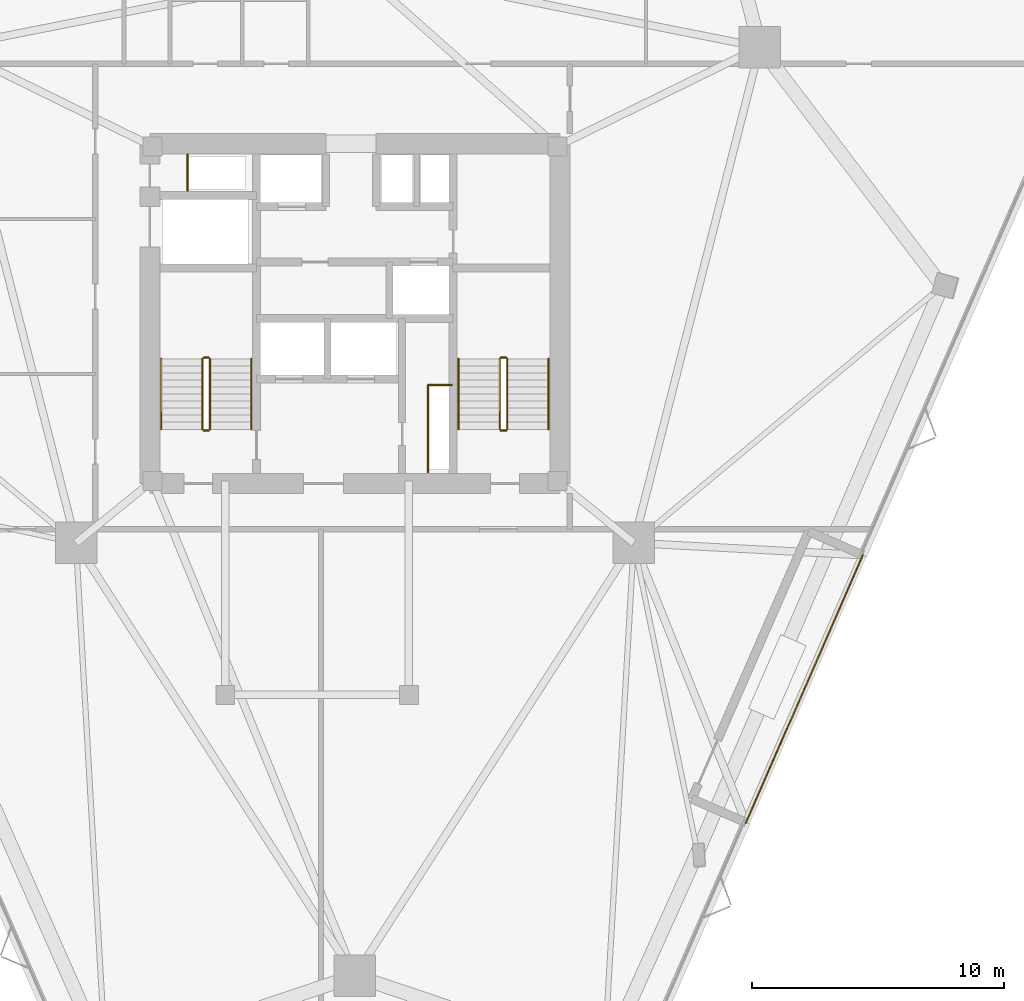
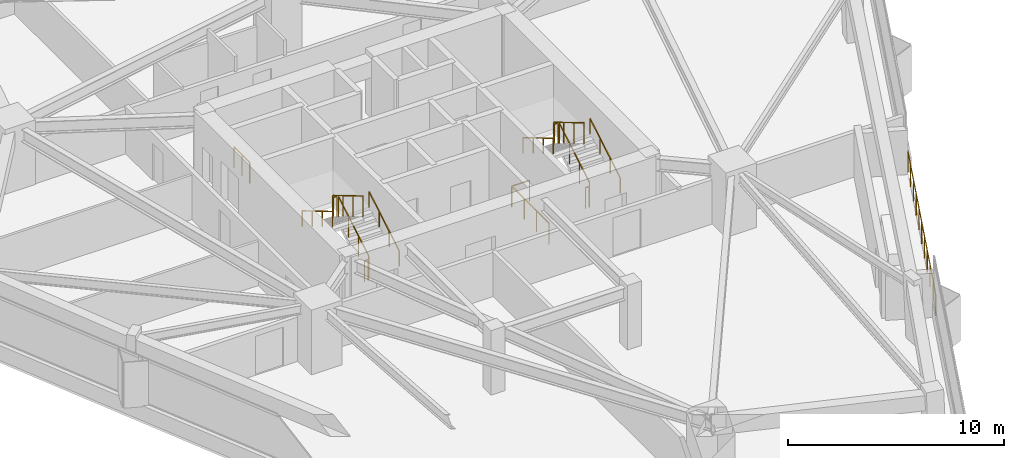
# One storey, part 14 of 14: 15 railings.
"""IFC4 building model written with IfcOpenShell, lengths in metres."""

from ifc_helpers import new_model, si_unit, direction, frame, origin, origin_2d, place, context, subcontext, project, spatial, rectangle, extrude, material, type_object, element, save


model = new_model("IFC4")

# Units and contexts
model_context = context("Model", 3, precision=1e-05, world=origin(), true_north=direction((0.0, 1.0)))
body_context = subcontext(model_context, "Body", "Model", "MODEL_VIEW")
ifc_project = project(units=[si_unit("LENGTHUNIT", "METRE"), si_unit("AREAUNIT", "SQUARE_METRE"), si_unit("VOLUMEUNIT", "CUBIC_METRE"), si_unit("PLANEANGLEUNIT", "RADIAN"), si_unit("MASSUNIT", "GRAM", prefix="KILO")], contexts=[model_context])

# Site, building, storey
site_placement = place(None, origin())
site = spatial("IfcSite", under=ifc_project, at=site_placement, CompositionType="ELEMENT")
building_placement = place(site_placement, origin())
building = spatial("IfcBuilding", under=site, at=building_placement, Name="Talyreon Biosciences Tower", CompositionType="ELEMENT")
storey_placement = place(building_placement, frame((0.0, 0.0, 96.89990234375)))
storey = spatial("IfcBuildingStorey", under=building, at=storey_placement, Name="L25", CompositionType="ELEMENT", Elevation=96.89990234375)

# Railings
ifc_material_1 = material(Name="Stainless-steel and laminated glass balustrade", Category="steel")
railing_type_1 = type_object("IfcRailingType", Name="SkyGardenGlassBalustrade_1250", PredefinedType="GUARDRAIL", material=ifc_material_1)
railing_1_placement = place(storey_placement, frame((86.197509765625, 58.3955078125, 0.0)))
element("IfcRailing", 1, at=railing_1_placement, inside=storey, type_object=railing_type_1, Name="L25 Terrace Edge Balustrade 03", PredefinedType="GUARDRAIL", context=body_context, shape_type="SweptSolid", body=[
    extrude(rectangle(XDim=0.048095703125, YDim=0.048095703125, at=origin_2d()), frame((0.0, 0.0, 1.22607421875), z_axis=(-0.400553840452, -0.916273223934, 0.0), x_axis=(0.916273223934, -0.400553840452, 0.0)), (0.0, 0.0, 1.0), 11.60009765625),
    extrude(rectangle(XDim=0.0419921875, YDim=0.0419921875, at=origin_2d()), origin(), (0.0, 0.0, 1.0), 1.201904296875),
    extrude(rectangle(XDim=0.0419921875, YDim=0.0419921875, at=origin_2d()), frame((-0.464599609375, -1.06298828125, 0.0)), (0.0, 0.0, 1.0), 1.201904296875),
    extrude(rectangle(XDim=0.0419921875, YDim=0.0419921875, at=origin_2d()), frame((-0.92919921875, -2.125732421875, 0.0)), (0.0, 0.0, 1.0), 1.201904296875),
    extrude(rectangle(XDim=0.0419921875, YDim=0.0419921875, at=origin_2d()), frame((-1.39404296875, -3.188720703125, 0.0)), (0.0, 0.0, 1.0), 1.201904296875),
    extrude(rectangle(XDim=0.0419921875, YDim=0.0419921875, at=origin_2d()), frame((-1.858642578125, -4.25146484375, 0.0)), (0.0, 0.0, 1.0), 1.201904296875),
    extrude(rectangle(XDim=0.0419921875, YDim=0.0419921875, at=origin_2d()), frame((-2.3232421875, -5.314453125, 0.0)), (0.0, 0.0, 1.0), 1.201904296875),
    extrude(rectangle(XDim=0.0419921875, YDim=0.0419921875, at=origin_2d()), frame((-2.787841796875, -6.37744140625, 0.0)), (0.0, 0.0, 1.0), 1.201904296875),
    extrude(rectangle(XDim=0.0419921875, YDim=0.0419921875, at=origin_2d()), frame((-3.25244140625, -7.440185546875, 0.0)), (0.0, 0.0, 1.0), 1.201904296875),
    extrude(rectangle(XDim=0.0419921875, YDim=0.0419921875, at=origin_2d()), frame((-3.71728515625, -8.503173828125, 0.0)), (0.0, 0.0, 1.0), 1.201904296875),
    extrude(rectangle(XDim=0.0419921875, YDim=0.0419921875, at=origin_2d()), frame((-4.181884765625, -9.56591796875, 0.0)), (0.0, 0.0, 1.0), 1.201904296875),
    extrude(rectangle(XDim=0.0419921875, YDim=0.0419921875, at=origin_2d()), frame((-4.646484375, -10.62890625, 0.0)), (0.0, 0.0, 1.0), 1.201904296875),
])
ifc_material_2 = material(Name="Brushed stainless-steel tubular handrail", Category="steel")
railing_type_2 = type_object("IfcRailingType", Name="StairWallHandrail_900", PredefinedType="HANDRAIL", material=ifc_material_2)
railing_2_placement = place(storey_placement, frame((61.8798828125, 63.39990234375, 0.166015625)))
element("IfcRailing", 2, at=railing_2_placement, inside=storey, type_object=railing_type_2, Name="L25 ST-1 stair handrail 1", PredefinedType="HANDRAIL", context=body_context, shape_type="SweptSolid", body=[
    extrude(rectangle(XDim=0.048095703125, YDim=0.048095703125, at=origin_2d()), frame((0.0, 0.0, 0.8759765625), z_axis=(0.0, 0.860306154799, 0.50977771628), x_axis=(-1.0, 0.0, 0.0)), (0.0, 0.0, 1.0), 3.254638671875),
    extrude(rectangle(XDim=0.0419921875, YDim=0.0419921875, at=origin_2d()), origin(), (0.0, 0.0, 1.0), 0.851806640625),
    extrude(rectangle(XDim=0.0419921875, YDim=0.0419921875, at=origin_2d()), frame((0.0, 0.933349609375, 0.552978515625)), (0.0, 0.0, 1.0), 0.851806640625),
    extrude(rectangle(XDim=0.0419921875, YDim=0.0419921875, at=origin_2d()), frame((0.0, 1.86669921875, 1.106201171875)), (0.0, 0.0, 1.0), 0.851806640625),
    extrude(rectangle(XDim=0.0419921875, YDim=0.0419921875, at=origin_2d()), frame((0.0, 2.800048828125, 1.6591796875)), (0.0, 0.0, 1.0), 0.851806640625),
])
railing_3_placement = place(storey_placement, frame((58.300048828125, 66.199951171875, 1.990966796875)))
element("IfcRailing", 3, at=railing_3_placement, inside=storey, type_object=railing_type_2, Name="L25 ST-1 stair handrail 2", PredefinedType="HANDRAIL", context=body_context, shape_type="SweptSolid", body=[
    extrude(rectangle(XDim=0.048095703125, YDim=0.048095703125, at=origin_2d()), frame((0.0, 0.0, 0.8759765625), z_axis=(0.0, -0.860306154799, 0.50977771628), x_axis=(1.0, 0.0, 0.0)), (0.0, 0.0, 1.0), 3.254638671875),
    extrude(rectangle(XDim=0.0419921875, YDim=0.0419921875, at=origin_2d()), origin(), (0.0, 0.0, 1.0), 0.851806640625),
    extrude(rectangle(XDim=0.0419921875, YDim=0.0419921875, at=origin_2d()), frame((0.0, -0.933349609375, 0.552978515625)), (0.0, 0.0, 1.0), 0.851806640625),
    extrude(rectangle(XDim=0.0419921875, YDim=0.0419921875, at=origin_2d()), frame((0.0, -1.86669921875, 1.106201171875)), (0.0, 0.0, 1.0), 0.851806640625),
    extrude(rectangle(XDim=0.0419921875, YDim=0.0419921875, at=origin_2d()), frame((0.0, -2.800048828125, 1.6591796875)), (0.0, 0.0, 1.0), 0.851806640625),
])
railing_4_placement = place(storey_placement, frame((73.699951171875, 63.39990234375, 0.166015625)))
element("IfcRailing", 4, at=railing_4_placement, inside=storey, type_object=railing_type_2, Name="L25 ST-2 stair handrail 1", PredefinedType="HANDRAIL", context=body_context, shape_type="SweptSolid", body=[
    extrude(rectangle(XDim=0.048095703125, YDim=0.048095703125, at=origin_2d()), frame((0.0, 0.0, 0.8759765625), z_axis=(0.0, 0.860306154799, 0.50977771628), x_axis=(-1.0, 0.0, 0.0)), (0.0, 0.0, 1.0), 3.254638671875),
    extrude(rectangle(XDim=0.0419921875, YDim=0.0419921875, at=origin_2d()), origin(), (0.0, 0.0, 1.0), 0.851806640625),
    extrude(rectangle(XDim=0.0419921875, YDim=0.0419921875, at=origin_2d()), frame((0.0, 0.933349609375, 0.552978515625)), (0.0, 0.0, 1.0), 0.851806640625),
    extrude(rectangle(XDim=0.0419921875, YDim=0.0419921875, at=origin_2d()), frame((0.0, 1.86669921875, 1.106201171875)), (0.0, 0.0, 1.0), 0.851806640625),
    extrude(rectangle(XDim=0.0419921875, YDim=0.0419921875, at=origin_2d()), frame((0.0, 2.800048828125, 1.6591796875)), (0.0, 0.0, 1.0), 0.851806640625),
])
railing_5_placement = place(storey_placement, frame((70.1201171875, 66.199951171875, 1.990966796875)))
element("IfcRailing", 5, at=railing_5_placement, inside=storey, type_object=railing_type_2, Name="L25 ST-2 stair handrail 2", PredefinedType="HANDRAIL", context=body_context, shape_type="SweptSolid", body=[
    extrude(rectangle(XDim=0.048095703125, YDim=0.048095703125, at=origin_2d()), frame((0.0, 0.0, 0.8759765625), z_axis=(0.0, -0.860306154799, 0.50977771628), x_axis=(1.0, 0.0, 0.0)), (0.0, 0.0, 1.0), 3.254638671875),
    extrude(rectangle(XDim=0.0419921875, YDim=0.0419921875, at=origin_2d()), origin(), (0.0, 0.0, 1.0), 0.851806640625),
    extrude(rectangle(XDim=0.0419921875, YDim=0.0419921875, at=origin_2d()), frame((0.0, -0.933349609375, 0.552978515625)), (0.0, 0.0, 1.0), 0.851806640625),
    extrude(rectangle(XDim=0.0419921875, YDim=0.0419921875, at=origin_2d()), frame((0.0, -1.86669921875, 1.106201171875)), (0.0, 0.0, 1.0), 0.851806640625),
    extrude(rectangle(XDim=0.0419921875, YDim=0.0419921875, at=origin_2d()), frame((0.0, -2.800048828125, 1.6591796875)), (0.0, 0.0, 1.0), 0.851806640625),
])
ifc_material_3 = material(Name="Painted galvanised steel post-and-rail balustrade", Category="steel")
railing_type_3 = type_object("IfcRailingType", Name="TerraceStairGuard_1200", PredefinedType="GUARDRAIL", material=ifc_material_3)
railing_6_placement = place(storey_placement, frame((60.239990234375, 63.39990234375, 0.166015625)))
element("IfcRailing", 6, at=railing_6_placement, inside=storey, type_object=railing_type_3, Name="L25 ST-1 stair guard 1", PredefinedType="GUARDRAIL", context=body_context, shape_type="SweptSolid", body=[
    extrude(rectangle(XDim=0.048095703125, YDim=0.048095703125, at=origin_2d()), frame((0.0, 0.0, 1.17578125), z_axis=(0.0, 0.860306154799, 0.50977771628), x_axis=(-1.0, 0.0, 0.0)), (0.0, 0.0, 1.0), 3.254638671875),
    extrude(rectangle(XDim=0.0419921875, YDim=0.0419921875, at=origin_2d()), origin(), (0.0, 0.0, 1.0), 1.15185546875),
    extrude(rectangle(XDim=0.0419921875, YDim=0.0419921875, at=origin_2d()), frame((0.0, 0.933349609375, 0.552978515625)), (0.0, 0.0, 1.0), 1.15185546875),
    extrude(rectangle(XDim=0.0419921875, YDim=0.0419921875, at=origin_2d()), frame((0.0, 1.86669921875, 1.106201171875)), (0.0, 0.0, 1.0), 1.15185546875),
    extrude(rectangle(XDim=0.0419921875, YDim=0.0419921875, at=origin_2d()), frame((0.0, 2.800048828125, 1.6591796875)), (0.0, 0.0, 1.0), 1.15185546875),
])
railing_7_placement = place(storey_placement, frame((60.18994140625, 66.25, 1.8251953125)))
element("IfcRailing", 7, at=railing_7_placement, inside=storey, type_object=railing_type_3, Name="L25 ST-1 stair guard 2", PredefinedType="GUARDRAIL", context=body_context, shape_type="SweptSolid", body=[
    extrude(rectangle(XDim=0.048095703125, YDim=0.048095703125, at=origin_2d()), frame((0.0, 0.0, 1.17578125), z_axis=(-1.0, 0.0, 0.0), x_axis=(0.0, -1.0, 0.0)), (0.0, 0.0, 1.0), 0.199951171875),
    extrude(rectangle(XDim=0.0419921875, YDim=0.0419921875, at=origin_2d()), origin(), (0.0, 0.0, 1.0), 1.15185546875),
    extrude(rectangle(XDim=0.0419921875, YDim=0.0419921875, at=origin_2d()), frame((-0.199951171875, 0.0, 0.0)), (0.0, 0.0, 1.0), 1.15185546875),
])
railing_8_placement = place(storey_placement, frame((59.93994140625, 66.199951171875, 1.990966796875)))
element("IfcRailing", 8, at=railing_8_placement, inside=storey, type_object=railing_type_3, Name="L25 ST-1 stair guard 3", PredefinedType="GUARDRAIL", context=body_context, shape_type="SweptSolid", body=[
    extrude(rectangle(XDim=0.048095703125, YDim=0.048095703125, at=origin_2d()), frame((0.0, 0.0, 1.17578125), z_axis=(0.0, -0.860306154799, 0.50977771628), x_axis=(1.0, 0.0, 0.0)), (0.0, 0.0, 1.0), 3.254638671875),
    extrude(rectangle(XDim=0.0419921875, YDim=0.0419921875, at=origin_2d()), origin(), (0.0, 0.0, 1.0), 1.15185546875),
    extrude(rectangle(XDim=0.0419921875, YDim=0.0419921875, at=origin_2d()), frame((0.0, -0.933349609375, 0.552978515625)), (0.0, 0.0, 1.0), 1.15185546875),
    extrude(rectangle(XDim=0.0419921875, YDim=0.0419921875, at=origin_2d()), frame((0.0, -1.86669921875, 1.106201171875)), (0.0, 0.0, 1.0), 1.15185546875),
    extrude(rectangle(XDim=0.0419921875, YDim=0.0419921875, at=origin_2d()), frame((0.0, -2.800048828125, 1.6591796875)), (0.0, 0.0, 1.0), 1.15185546875),
])
railing_9_placement = place(storey_placement, frame((60.18994140625, 63.35009765625, 0.0)))
element("IfcRailing", 9, at=railing_9_placement, inside=storey, type_object=railing_type_3, Name="L25 ST-1 stair guard 4", PredefinedType="GUARDRAIL", context=body_context, shape_type="SweptSolid", body=[
    extrude(rectangle(XDim=0.048095703125, YDim=0.048095703125, at=origin_2d()), frame((0.0, 0.0, 1.17578125), z_axis=(-1.0, 0.0, 0.0), x_axis=(0.0, -1.0, 0.0)), (0.0, 0.0, 1.0), 0.199951171875),
    extrude(rectangle(XDim=0.0419921875, YDim=0.0419921875, at=origin_2d()), origin(), (0.0, 0.0, 1.0), 1.15185546875),
    extrude(rectangle(XDim=0.0419921875, YDim=0.0419921875, at=origin_2d()), frame((-0.199951171875, 0.0, 0.0)), (0.0, 0.0, 1.0), 1.15185546875),
])
railing_10_placement = place(storey_placement, frame((72.06005859375, 63.39990234375, 0.166015625)))
element("IfcRailing", 10, at=railing_10_placement, inside=storey, type_object=railing_type_3, Name="L25 ST-2 stair guard 1", PredefinedType="GUARDRAIL", context=body_context, shape_type="SweptSolid", body=[
    extrude(rectangle(XDim=0.048095703125, YDim=0.048095703125, at=origin_2d()), frame((0.0, 0.0, 1.17578125), z_axis=(0.0, 0.860306154799, 0.50977771628), x_axis=(-1.0, 0.0, 0.0)), (0.0, 0.0, 1.0), 3.254638671875),
    extrude(rectangle(XDim=0.0419921875, YDim=0.0419921875, at=origin_2d()), origin(), (0.0, 0.0, 1.0), 1.15185546875),
    extrude(rectangle(XDim=0.0419921875, YDim=0.0419921875, at=origin_2d()), frame((0.0, 0.933349609375, 0.552978515625)), (0.0, 0.0, 1.0), 1.15185546875),
    extrude(rectangle(XDim=0.0419921875, YDim=0.0419921875, at=origin_2d()), frame((0.0, 1.86669921875, 1.106201171875)), (0.0, 0.0, 1.0), 1.15185546875),
    extrude(rectangle(XDim=0.0419921875, YDim=0.0419921875, at=origin_2d()), frame((0.0, 2.800048828125, 1.6591796875)), (0.0, 0.0, 1.0), 1.15185546875),
])
railing_11_placement = place(storey_placement, frame((72.010009765625, 66.25, 1.8251953125)))
element("IfcRailing", 11, at=railing_11_placement, inside=storey, type_object=railing_type_3, Name="L25 ST-2 stair guard 2", PredefinedType="GUARDRAIL", context=body_context, shape_type="SweptSolid", body=[
    extrude(rectangle(XDim=0.048095703125, YDim=0.048095703125, at=origin_2d()), frame((0.0, 0.0, 1.17578125), z_axis=(-1.0, 0.0, 0.0), x_axis=(0.0, -1.0, 0.0)), (0.0, 0.0, 1.0), 0.199951171875),
    extrude(rectangle(XDim=0.0419921875, YDim=0.0419921875, at=origin_2d()), origin(), (0.0, 0.0, 1.0), 1.15185546875),
    extrude(rectangle(XDim=0.0419921875, YDim=0.0419921875, at=origin_2d()), frame((-0.199951171875, 0.0, 0.0)), (0.0, 0.0, 1.0), 1.15185546875),
])
railing_12_placement = place(storey_placement, frame((71.760009765625, 66.199951171875, 1.990966796875)))
element("IfcRailing", 12, at=railing_12_placement, inside=storey, type_object=railing_type_3, Name="L25 ST-2 stair guard 3", PredefinedType="GUARDRAIL", context=body_context, shape_type="SweptSolid", body=[
    extrude(rectangle(XDim=0.048095703125, YDim=0.048095703125, at=origin_2d()), frame((0.0, 0.0, 1.17578125), z_axis=(0.0, -0.860306154799, 0.50977771628), x_axis=(1.0, 0.0, 0.0)), (0.0, 0.0, 1.0), 3.254638671875),
    extrude(rectangle(XDim=0.0419921875, YDim=0.0419921875, at=origin_2d()), origin(), (0.0, 0.0, 1.0), 1.15185546875),
    extrude(rectangle(XDim=0.0419921875, YDim=0.0419921875, at=origin_2d()), frame((0.0, -0.933349609375, 0.552978515625)), (0.0, 0.0, 1.0), 1.15185546875),
    extrude(rectangle(XDim=0.0419921875, YDim=0.0419921875, at=origin_2d()), frame((0.0, -1.86669921875, 1.106201171875)), (0.0, 0.0, 1.0), 1.15185546875),
    extrude(rectangle(XDim=0.0419921875, YDim=0.0419921875, at=origin_2d()), frame((0.0, -2.800048828125, 1.6591796875)), (0.0, 0.0, 1.0), 1.15185546875),
])
railing_13_placement = place(storey_placement, frame((72.010009765625, 63.35009765625, 0.0)))
element("IfcRailing", 13, at=railing_13_placement, inside=storey, type_object=railing_type_3, Name="L25 ST-2 stair guard 4", PredefinedType="GUARDRAIL", context=body_context, shape_type="SweptSolid", body=[
    extrude(rectangle(XDim=0.048095703125, YDim=0.048095703125, at=origin_2d()), frame((0.0, 0.0, 1.17578125), z_axis=(-1.0, 0.0, 0.0), x_axis=(0.0, -1.0, 0.0)), (0.0, 0.0, 1.0), 0.199951171875),
    extrude(rectangle(XDim=0.0419921875, YDim=0.0419921875, at=origin_2d()), origin(), (0.0, 0.0, 1.0), 1.15185546875),
    extrude(rectangle(XDim=0.0419921875, YDim=0.0419921875, at=origin_2d()), frame((-0.199951171875, 0.0, 0.0)), (0.0, 0.0, 1.0), 1.15185546875),
])
railing_14_placement = place(storey_placement, frame((59.35009765625, 72.8798828125, 0.0)))
element("IfcRailing", 14, at=railing_14_placement, inside=storey, type_object=railing_type_3, Name="L25 Exhaust Riser Maintenance Guardrail", PredefinedType="GUARDRAIL", context=body_context, shape_type="SweptSolid", body=[
    extrude(rectangle(XDim=0.048095703125, YDim=0.048095703125, at=origin_2d()), frame((0.0, 0.0, 1.17578125), z_axis=(0.0, 1.0, 0.0), x_axis=(-1.0, 0.0, 0.0)), (0.0, 0.0, 1.0), 1.4501953125),
    extrude(rectangle(XDim=0.0419921875, YDim=0.0419921875, at=origin_2d()), origin(), (0.0, 0.0, 1.0), 1.15185546875),
    extrude(rectangle(XDim=0.0419921875, YDim=0.0419921875, at=origin_2d()), frame((0.0, 0.72509765625, 0.0)), (0.0, 0.0, 1.0), 1.15185546875),
    extrude(rectangle(XDim=0.0419921875, YDim=0.0419921875, at=origin_2d()), frame((0.0, 1.4501953125, 0.0)), (0.0, 0.0, 1.0), 1.15185546875),
])
railing_15_placement = place(storey_placement, frame((68.909912109375, 61.699951171875, 0.0)))
element("IfcRailing", 15, at=railing_15_placement, inside=storey, type_object=railing_type_3, Name="L25 Electrical Riser Maintenance Guardrail", PredefinedType="GUARDRAIL", context=body_context, shape_type="SweptSolid", body=[
    extrude(rectangle(XDim=0.048095703125, YDim=0.048095703125, at=origin_2d()), frame((0.0, 0.0, 1.17578125), z_axis=(0.0, 1.0, 0.0), x_axis=(-1.0, 0.0, 0.0)), (0.0, 0.0, 1.0), 3.4599609375),
    extrude(rectangle(XDim=0.048095703125, YDim=0.048095703125, at=origin_2d()), frame((0.0, 3.4599609375, 1.17578125), z_axis=(1.0, 0.0, 0.0), x_axis=(0.0, 1.0, 0.0)), (0.0, 0.0, 1.0), 0.9501953125),
    extrude(rectangle(XDim=0.0419921875, YDim=0.0419921875, at=origin_2d()), origin(), (0.0, 0.0, 1.0), 1.15185546875),
    extrude(rectangle(XDim=0.0419921875, YDim=0.0419921875, at=origin_2d()), frame((0.0, 1.1533203125, 0.0)), (0.0, 0.0, 1.0), 1.15185546875),
    extrude(rectangle(XDim=0.0419921875, YDim=0.0419921875, at=origin_2d()), frame((0.0, 2.306640625, 0.0)), (0.0, 0.0, 1.0), 1.15185546875),
    extrude(rectangle(XDim=0.0419921875, YDim=0.0419921875, at=origin_2d()), frame((0.0, 3.4599609375, 0.0)), (0.0, 0.0, 1.0), 1.15185546875),
    extrude(rectangle(XDim=0.0419921875, YDim=0.0419921875, at=origin_2d()), frame((0.9501953125, 3.4599609375, 0.0)), (0.0, 0.0, 1.0), 1.15185546875),
])

save(model, "model.ifc")
